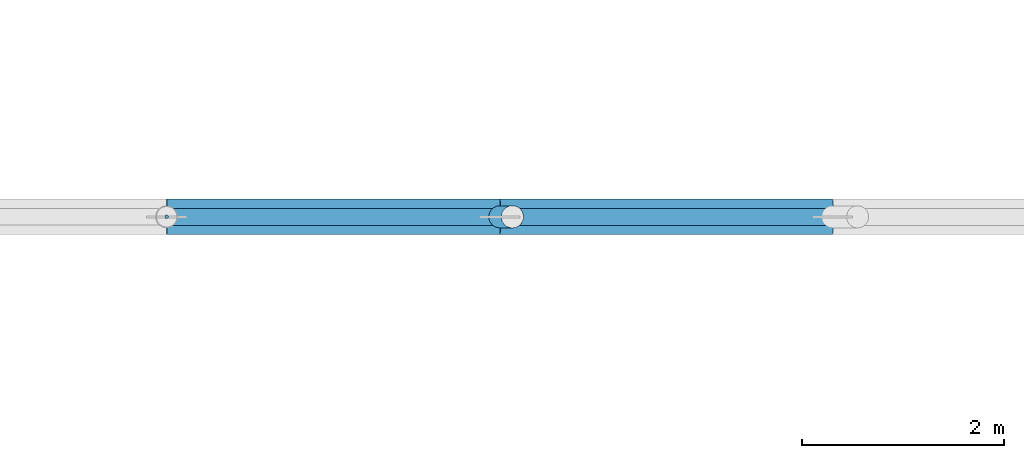
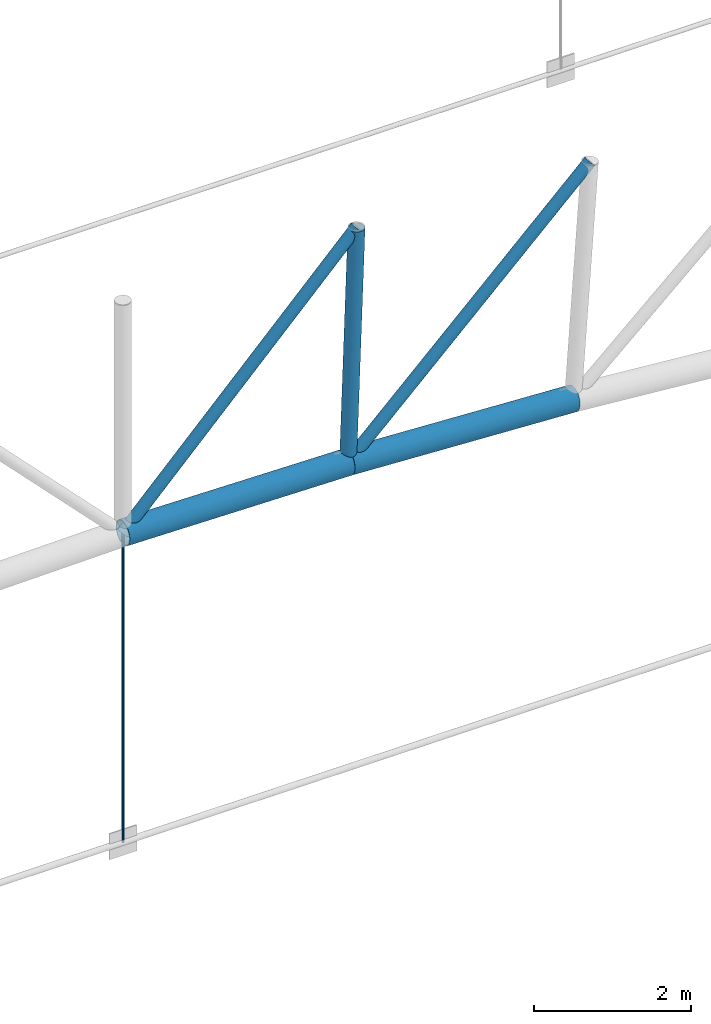
# One storey, part 34 of 321: 6 members.
"""IFC4 building model written with IfcOpenShell, lengths in metres."""

from ifc_helpers import new_model, si_unit, direction, frame, origin, origin_2d, place, context, subcontext, project, spatial, circle, hollow_circle, extrude, material, material_profile, profile_set, type_object, element, save


model = new_model("IFC4")

# Units and contexts
model_context = context("Model", 3, precision=1e-05, world=origin(), true_north=direction((0.0, 1.0)))
body_context = subcontext(model_context, "Body", "Model", "MODEL_VIEW")
ifc_project = project(units=[si_unit("LENGTHUNIT", "METRE"), si_unit("AREAUNIT", "SQUARE_METRE"), si_unit("VOLUMEUNIT", "CUBIC_METRE"), si_unit("PLANEANGLEUNIT", "RADIAN"), si_unit("MASSUNIT", "GRAM", prefix="KILO")], contexts=[model_context])

# Site, building, storey
site_placement = place(None, origin())
site = spatial("IfcSite", under=ifc_project, at=site_placement, CompositionType="ELEMENT")
building_placement = place(site_placement, origin())
building = spatial("IfcBuilding", under=site, at=building_placement, Name="Ravi Spectrum Wholesale Market", CompositionType="ELEMENT")
storey_placement = place(building_placement, frame((0.0, 0.0, 10.800048828125)))
storey = spatial("IfcBuildingStorey", under=building, at=storey_placement, Name="L02", CompositionType="ELEMENT", Elevation=10.800048828125)

# Members
ifc_material_1 = material(Name="Steel S355", Category="steel")
ifc_material_profile_1 = material_profile(ifc_material_1, hollow_circle(Radius=0.084228515625, WallThickness=0.00634765625, at=origin_2d()))
ifc_profile_set_1 = profile_set([ifc_material_profile_1], Name="Steel S355")
member_type_1 = type_object("IfcMemberType", Name="CHS 168.3x6.3 brace", PredefinedType="BRACE", material=ifc_profile_set_1)
for number, where, z_axis, x_axis, name in (
    (1, (73.4296875, 54.0, 8.3408203125), (-0.695749704847, 0.0, -0.718284308756), (0.0, -1.0, 0.0), "H1-MB-L02-245"),
    (2, (76.85546875, 54.0, 8.163330078125), (-0.7201093859, 0.0, -0.69386055684), (0.0, -1.0, 0.0), "H1-MB-L02-246"),
):
    element("IfcMember", number, at=place(storey_placement, frame(where, z_axis=z_axis, x_axis=x_axis)), inside=storey, type_object=member_type_1, Name=name, PredefinedType="BRACE", context=body_context, shape_type="SweptSolid", body=[
        extrude(hollow_circle(Radius=0.084228515625, WallThickness=0.00634765625, at=origin_2d()), origin(), (0.0, 0.0, 1.0), 4.929443359375),
    ])
ifc_material_2 = material(Name="Steel S355", Category="steel")
ifc_material_profile_2 = material_profile(ifc_material_2, hollow_circle(Radius=0.109619140625, WallThickness=0.008056640625, at=origin_2d()))
ifc_profile_set_2 = profile_set([ifc_material_profile_2], Name="Steel S355")
member_type_2 = type_object("IfcMemberType", Name="CHS 219.1x8 post", PredefinedType="POST", material=ifc_profile_set_2)
member_1_placement = place(storey_placement, frame((73.4296875, 54.0, 8.3408203125), z_axis=(-0.034450597287, 0.0, -0.999406401994), x_axis=(0.0, -1.0, 0.0)))
element("IfcMember", 3, at=member_1_placement, inside=storey, type_object=member_type_2, Name="H1-MB-L02-223", PredefinedType="POST", context=body_context, shape_type="SweptSolid", body=[
    extrude(hollow_circle(Radius=0.109619140625, WallThickness=0.008056640625, at=origin_2d()), origin(), (0.0, 0.0, 1.0), 3.60009765625),
])
ifc_material_3 = material(Name="Steel S355", Category="steel")
ifc_material_profile_3 = material_profile(ifc_material_3, hollow_circle(Radius=0.177734375, WallThickness=0.012451171875, at=origin_2d()))
ifc_profile_set_3 = profile_set([ifc_material_profile_3], Name="Steel S355")
member_type_3 = type_object("IfcMemberType", Name="CHS 355.6x12.5 chord", PredefinedType="CHORD", material=ifc_profile_set_3)
for number, where, z_axis, x_axis, name in (
    (4, (70.0, 54.0, 4.800048828125), (0.999850697486, 0.0, -0.017279546766), (0.0, 1.0, 0.0), "H1-MB-L02-199"),
    (5, (73.3056640625, 54.0, 4.742919921875), (0.99866314533, 0.0, -0.051690638992), (0.0, 1.0, 0.0), "H1-MB-L02-200"),
):
    element("IfcMember", number, at=place(storey_placement, frame(where, z_axis=z_axis, x_axis=x_axis)), inside=storey, type_object=member_type_3, Name=name, PredefinedType="CHORD", context=body_context, shape_type="SweptSolid", body=[
        extrude(hollow_circle(Radius=0.177734375, WallThickness=0.012451171875, at=origin_2d()), origin(), (0.0, 0.0, 1.0), 3.30615234375),
    ])
ifc_material_4 = material(Name="Steel S355", Category="steel")
ifc_material_profile_4 = material_profile(ifc_material_4, circle(Radius=0.01806640625, at=origin_2d()))
ifc_profile_set_4 = profile_set([ifc_material_profile_4], Name="Steel S355")
member_type_4 = type_object("IfcMemberType", Name="ROD 36 hanger", PredefinedType="STRUT", material=ifc_profile_set_4)
member_2_placement = place(storey_placement, frame((70.0, 54.0, 0.0), z_axis=(0.0, 0.0, 1.0), x_axis=(1.0, 0.0, 0.0)))
element("IfcMember", 6, at=member_2_placement, inside=storey, type_object=member_type_4, Name="H1-MB-L02-259", PredefinedType="STRUT", context=body_context, shape_type="SweptSolid", body=[
    extrude(circle(Radius=0.01806640625, at=origin_2d()), origin(), (0.0, 0.0, 1.0), 4.800048828125),
])

save(model, "model.ifc")
